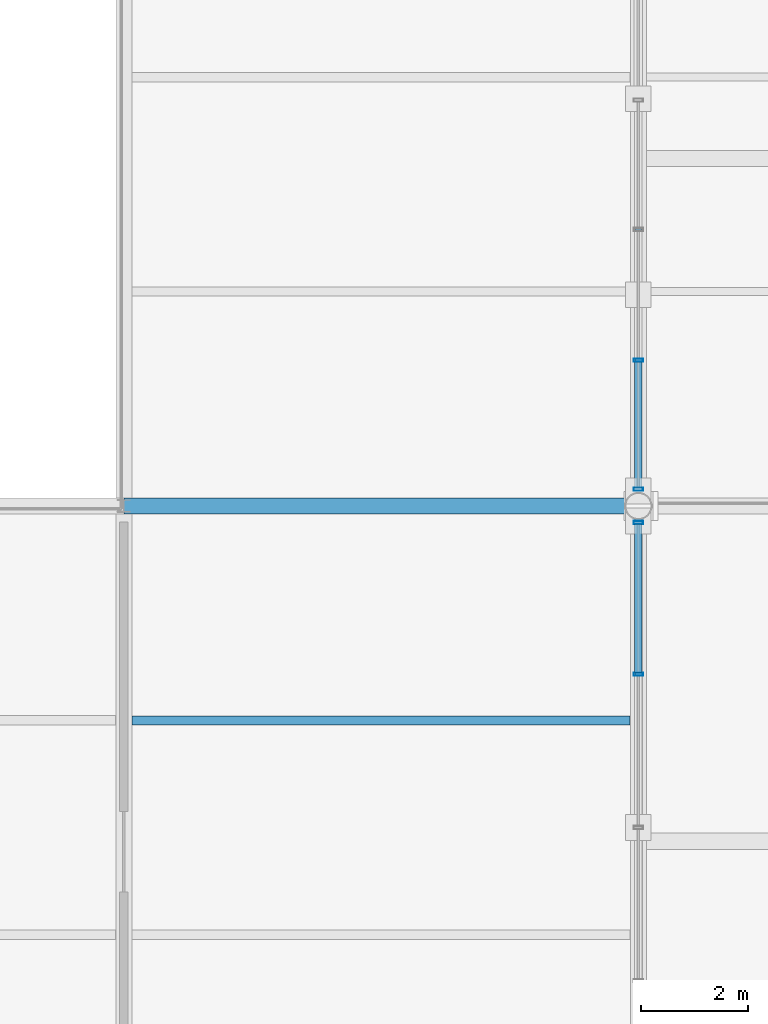
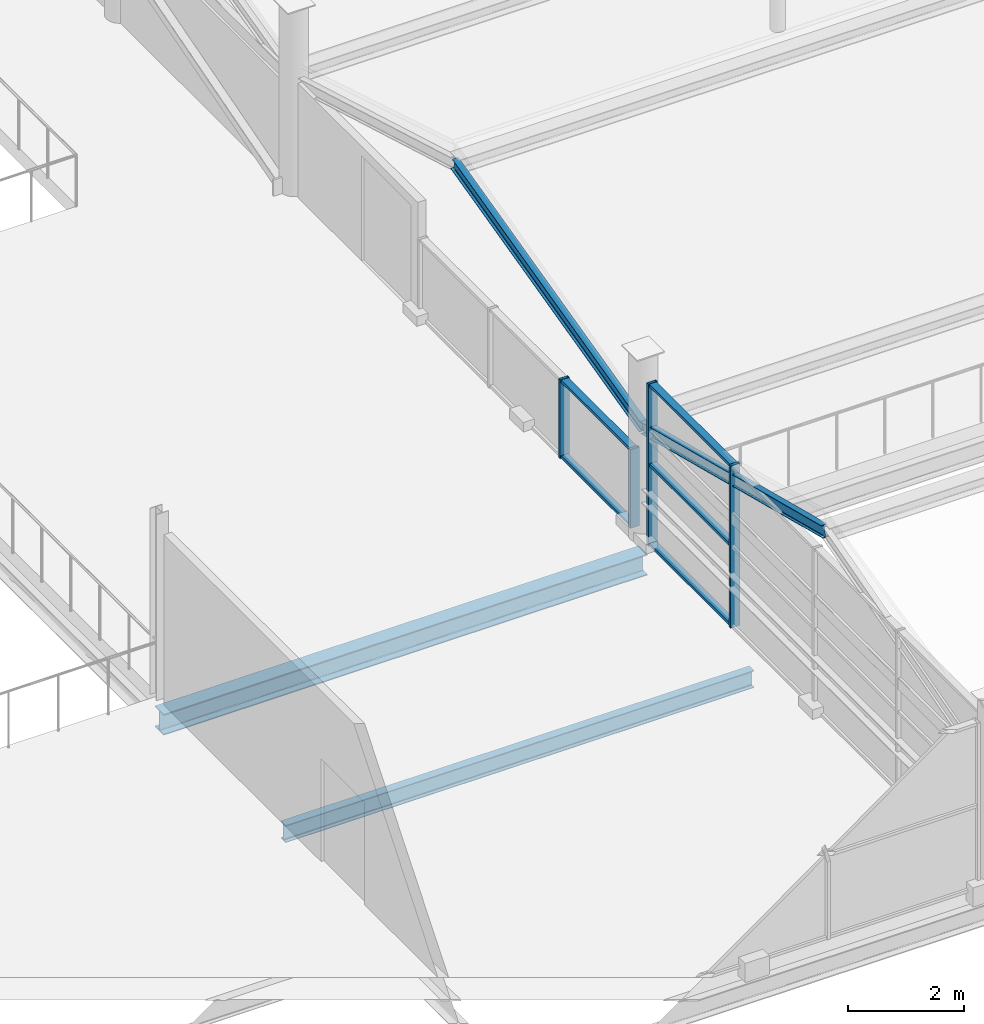
# One storey, part 31 of 117: 11 members, 2 beams, 2 elements without a shape of their own.
"""IFC4 building model written with IfcOpenShell, lengths in metres."""

from ifc_helpers import new_model, si_unit, direction, frame, origin, origin_2d, place, context, subcontext, project, spatial, hollow_rectangle, i_section, extrude, material, material_profile, profile_set, type_object, element, aggregate, save


model = new_model("IFC4")

# Units and contexts
model_context = context("Model", 3, precision=1e-05, world=origin(), true_north=direction((0.0, 1.0)))
body_context = subcontext(model_context, "Body", "Model", "MODEL_VIEW")
ifc_project = project(units=[si_unit("LENGTHUNIT", "METRE"), si_unit("AREAUNIT", "SQUARE_METRE"), si_unit("VOLUMEUNIT", "CUBIC_METRE"), si_unit("PLANEANGLEUNIT", "RADIAN"), si_unit("MASSUNIT", "GRAM", prefix="KILO")], contexts=[model_context])

# Site, building, storey
site_placement = place(None, origin())
site = spatial("IfcSite", under=ifc_project, at=site_placement, CompositionType="ELEMENT")
building_placement = place(site_placement, origin())
building = spatial("IfcBuilding", under=site, at=building_placement, Name="Merenkruunu Market Hall", CompositionType="ELEMENT")
storey_placement = place(building_placement, frame((0.0, 0.0, 10.199951171875)))
storey = spatial("IfcBuildingStorey", under=building, at=storey_placement, Name="L02", CompositionType="ELEMENT", Elevation=10.199951171875)

# Curtain wall, members
ifc_material_1 = material(Name="Powder-coated aluminium", Category="aluminium")
curtain_wall_type_1 = type_object("IfcCurtainWallType", Name="Glazed Curtain Wall CW13", PredefinedType="USERDEFINED", material=ifc_material_1)
curtain_wall_1_placement = place(storey_placement, origin())
curtain_wall_1 = element("IfcCurtainWall", 1, at=curtain_wall_1_placement, inside=storey, type_object=curtain_wall_type_1, Name="CW-L02-CWM02-123", ObjectType="GLAZED_FACADE", PredefinedType="USERDEFINED")
ifc_material_profile_1 = material_profile(ifc_material_1, hollow_rectangle(XDim=0.06005859375, YDim=0.179931640625, WallThickness=0.00390625, at=origin_2d()), Name="ALU 60x180x4")
ifc_profile_set_1 = profile_set([ifc_material_profile_1], Name="Powder-coated aluminium")
member_type_1 = type_object("IfcMemberType", Name="Curtain Wall Mullion CWM02", PredefinedType="MULLION", material=ifc_profile_set_1)
member_1_placement = place(storey_placement, frame((57.60009765625, 24.4599609375, 0.0), z_axis=(0.0, 0.0, 1.0), x_axis=(0.0, 1.0, 0.0)))
member_1 = element("IfcMember", 2, at=member_1_placement, type_object=member_type_1, Name="CW13 mullion 4", PredefinedType="MULLION", context=body_context, shape_type="SweptSolid", body=[
    extrude(hollow_rectangle(XDim=0.06005859375, YDim=0.179931640625, WallThickness=0.00390625, at=origin_2d()), origin(), (0.0, 0.0, 1.0), 3.400146484375),
])
member_2_placement = place(storey_placement, frame((57.60009765625, 27.2900390625, 0.0), z_axis=(0.0, 0.0, 1.0), x_axis=(0.0, 1.0, 0.0)))
member_2 = element("IfcMember", 3, at=member_2_placement, type_object=member_type_1, Name="CW13 mullion 5", PredefinedType="MULLION", context=body_context, shape_type="SweptSolid", body=[
    extrude(hollow_rectangle(XDim=0.06005859375, YDim=0.179931640625, WallThickness=0.00390625, at=origin_2d()), origin(), (0.0, 0.0, 1.0), 3.400146484375),
])

curtain_wall_type_2 = type_object("IfcCurtainWallType", Name="Glazed Curtain Wall CW16", PredefinedType="USERDEFINED", material=ifc_material_1)
curtain_wall_2_placement = place(storey_placement, origin())
curtain_wall_2 = element("IfcCurtainWall", 4, at=curtain_wall_2_placement, inside=storey, type_object=curtain_wall_type_2, Name="CW-L02-CWM02-126", ObjectType="GLAZED_FACADE", PredefinedType="USERDEFINED")
member_3_placement = place(storey_placement, frame((57.60009765625, 27.909912109375, 0.0), z_axis=(0.0, 0.0, 1.0), x_axis=(0.0, 1.0, 0.0)))
member_3 = element("IfcMember", 5, at=member_3_placement, type_object=member_type_1, Name="CW16 mullion 1", PredefinedType="MULLION", context=body_context, shape_type="SweptSolid", body=[
    extrude(hollow_rectangle(XDim=0.06005859375, YDim=0.179931640625, WallThickness=0.00390625, at=origin_2d()), origin(), (0.0, 0.0, 1.0), 1.650146484375),
])
member_4_placement = place(storey_placement, frame((57.60009765625, 30.320068359375, 0.0), z_axis=(0.0, 0.0, 1.0), x_axis=(0.0, 1.0, 0.0)))
member_4 = element("IfcMember", 6, at=member_4_placement, type_object=member_type_1, Name="CW16 mullion 2", PredefinedType="MULLION", context=body_context, shape_type="SweptSolid", body=[
    extrude(hollow_rectangle(XDim=0.06005859375, YDim=0.179931640625, WallThickness=0.00390625, at=origin_2d()), origin(), (0.0, 0.0, 1.0), 1.650146484375),
])

# Member
ifc_material_profile_2 = material_profile(ifc_material_1, hollow_rectangle(XDim=0.06005859375, YDim=0.139892578125, WallThickness=0.00390625, at=origin_2d()), Name="ALU 60x140x4")
ifc_profile_set_2 = profile_set([ifc_material_profile_2], Name="Powder-coated aluminium")
member_type_2 = type_object("IfcMemberType", Name="Curtain Wall Transom CWT02", PredefinedType="USERDEFINED", material=ifc_profile_set_2)
member_5_placement = place(storey_placement, frame((57.60009765625, 24.489990234375, 0.030029296875), z_axis=(0.0, 1.0, 0.0), x_axis=(0.0, 0.0, 1.0)))
member_5 = element("IfcMember", 7, at=member_5_placement, type_object=member_type_2, Name="CW13 transom 4.1", ObjectType="TRANSOM", PredefinedType="USERDEFINED", context=body_context, shape_type="SweptSolid", body=[
    extrude(hollow_rectangle(XDim=0.06005859375, YDim=0.139892578125, WallThickness=0.00390625, at=origin_2d()), origin(), (0.0, 0.0, 1.0), 2.77001953125),
])

member_6_placement = place(storey_placement, frame((57.60009765625, 24.489990234375, 1.699951171875), z_axis=(0.0, 1.0, 0.0), x_axis=(0.0, 0.0, 1.0)))
member_6 = element("IfcMember", 8, at=member_6_placement, type_object=member_type_2, Name="CW13 transom 4.2", ObjectType="TRANSOM", PredefinedType="USERDEFINED", context=body_context, shape_type="SweptSolid", body=[
    extrude(hollow_rectangle(XDim=0.06005859375, YDim=0.139892578125, WallThickness=0.00390625, at=origin_2d()), origin(), (0.0, 0.0, 1.0), 2.77001953125),
])

member_7_placement = place(storey_placement, frame((57.60009765625, 24.489990234375, 3.3701171875), z_axis=(0.0, 1.0, 0.0), x_axis=(0.0, 0.0, 1.0)))
member_7 = element("IfcMember", 9, at=member_7_placement, type_object=member_type_2, Name="CW13 transom 4.3", ObjectType="TRANSOM", PredefinedType="USERDEFINED", context=body_context, shape_type="SweptSolid", body=[
    extrude(hollow_rectangle(XDim=0.06005859375, YDim=0.139892578125, WallThickness=0.00390625, at=origin_2d()), origin(), (0.0, 0.0, 1.0), 2.77001953125),
])

aggregate(curtain_wall_1, [member_1, member_2, member_5, member_6, member_7])

member_8_placement = place(storey_placement, frame((57.60009765625, 27.93994140625, 0.030029296875), z_axis=(0.0, 1.0, 0.0), x_axis=(0.0, 0.0, 1.0)))
member_8 = element("IfcMember", 10, at=member_8_placement, type_object=member_type_2, Name="CW16 transom 1.1", ObjectType="TRANSOM", PredefinedType="USERDEFINED", context=body_context, shape_type="SweptSolid", body=[
    extrude(hollow_rectangle(XDim=0.06005859375, YDim=0.139892578125, WallThickness=0.00390625, at=origin_2d()), origin(), (0.0, 0.0, 1.0), 2.35009765625),
])

member_9_placement = place(storey_placement, frame((57.60009765625, 27.93994140625, 1.6201171875), z_axis=(0.0, 1.0, 0.0), x_axis=(0.0, 0.0, 1.0)))
member_9 = element("IfcMember", 11, at=member_9_placement, type_object=member_type_2, Name="CW16 transom 1.2", ObjectType="TRANSOM", PredefinedType="USERDEFINED", context=body_context, shape_type="SweptSolid", body=[
    extrude(hollow_rectangle(XDim=0.06005859375, YDim=0.139892578125, WallThickness=0.00390625, at=origin_2d()), origin(), (0.0, 0.0, 1.0), 2.35009765625),
])

aggregate(curtain_wall_2, [member_3, member_4, member_8, member_9])

# Beam
ifc_material_2 = material(Name="Steel S355J2", Category="steel")
ifc_material_profile_3 = material_profile(ifc_material_2, i_section(OverallWidth=0.300048828125, OverallDepth=0.43994140625, WebThickness=0.011474609375, FlangeThickness=0.02099609375, FilletRadius=0.027099609375, at=origin_2d()), Name="HEA 450")
ifc_profile_set_3 = profile_set([ifc_material_profile_3], Name="Steel S355J2")
beam_type_1 = type_object("IfcBeamType", Name="Primary Floor Girder B07", PredefinedType="BEAM", material=ifc_profile_set_3)
beam_1_placement = place(storey_placement, frame((48.0, 27.60009765625, -0.530029296875), z_axis=(1.0, 0.0, 0.0), x_axis=(0.0, 1.0, 0.0)))
element("IfcBeam", 12, at=beam_1_placement, inside=storey, type_object=beam_type_1, Name="BM-L02-B07-0755", PredefinedType="BEAM", context=body_context, shape_type="SweptSolid", body=[
    extrude(i_section(OverallWidth=0.300048828125, OverallDepth=0.43994140625, WebThickness=0.011474609375, FlangeThickness=0.02099609375, FilletRadius=0.027099609375, at=origin_2d()), origin(), (0.0, 0.0, 1.0), 9.60009765625),
])

# Members
ifc_material_3 = material(Name="Steel S355ML", Category="steel")
ifc_material_profile_4 = material_profile(ifc_material_3, i_section(OverallWidth=0.1201171875, OverallDepth=0.239990234375, WebThickness=0.006103515625, FlangeThickness=0.009765625, FilletRadius=0.014892578125, at=origin_2d()), Name="IPE 240")
ifc_profile_set_4 = profile_set([ifc_material_profile_4], Name="Steel S355ML")
member_type_3 = type_object("IfcMemberType", Name="Roof Purlin Rafter PR02", PredefinedType="PURLIN", material=ifc_profile_set_4)
member_10_placement = place(storey_placement, frame((57.60009765625, 21.343994140625, 3.880126953125), z_axis=(0.0, 0.968813892169, -0.247789512167), x_axis=(-1.0, 0.0, 0.0)))
element("IfcMember", 13, at=member_10_placement, inside=storey, type_object=member_type_3, Name="MEM-V4-SAWR-002", PredefinedType="PURLIN", context=body_context, shape_type="SweptSolid", body=[
    extrude(i_section(OverallWidth=0.1201171875, OverallDepth=0.239990234375, WebThickness=0.006103515625, FlangeThickness=0.009765625, FilletRadius=0.014892578125, at=origin_2d()), origin(), (0.0, 0.0, 1.0), 6.45751953125),
])
member_11_placement = place(storey_placement, frame((57.60009765625, 27.60009765625, 2.280029296875), z_axis=(0.0, 0.970839870255, 0.239728901727), x_axis=(-1.0, 0.0, 0.0)))
element("IfcMember", 14, at=member_11_placement, inside=storey, type_object=member_type_3, Name="MEM-V4-SAWR-005", PredefinedType="PURLIN", context=body_context, shape_type="SweptSolid", body=[
    extrude(i_section(OverallWidth=0.1201171875, OverallDepth=0.239990234375, WebThickness=0.006103515625, FlangeThickness=0.009765625, FilletRadius=0.014892578125, at=origin_2d()), origin(), (0.0, 0.0, 1.0), 6.674560546875),
])

# Beam
ifc_material_profile_5 = material_profile(ifc_material_2, i_section(OverallWidth=0.169921875, OverallDepth=0.360107421875, WebThickness=0.008056640625, FlangeThickness=0.0126953125, FilletRadius=0.01806640625, at=origin_2d()), Name="IPE 360")
ifc_profile_set_5 = profile_set([ifc_material_profile_5], Name="Steel S355J2")
beam_type_2 = type_object("IfcBeamType", Name="Secondary Floor Joist J03", PredefinedType="JOIST", material=ifc_profile_set_5)
beam_2_placement = place(storey_placement, frame((48.153076171875, 23.60009765625, -0.489990234375), z_axis=(1.0, 0.0, 0.0), x_axis=(0.0, 1.0, 0.0)))
element("IfcBeam", 15, at=beam_2_placement, inside=storey, type_object=beam_type_2, Name="BM-L02-J03-0823", PredefinedType="JOIST", context=body_context, shape_type="SweptSolid", body=[
    extrude(i_section(OverallWidth=0.169921875, OverallDepth=0.360107421875, WebThickness=0.008056640625, FlangeThickness=0.0126953125, FilletRadius=0.01806640625, at=origin_2d()), origin(), (0.0, 0.0, 1.0), 9.2939453125),
])

save(model, "model.ifc")
